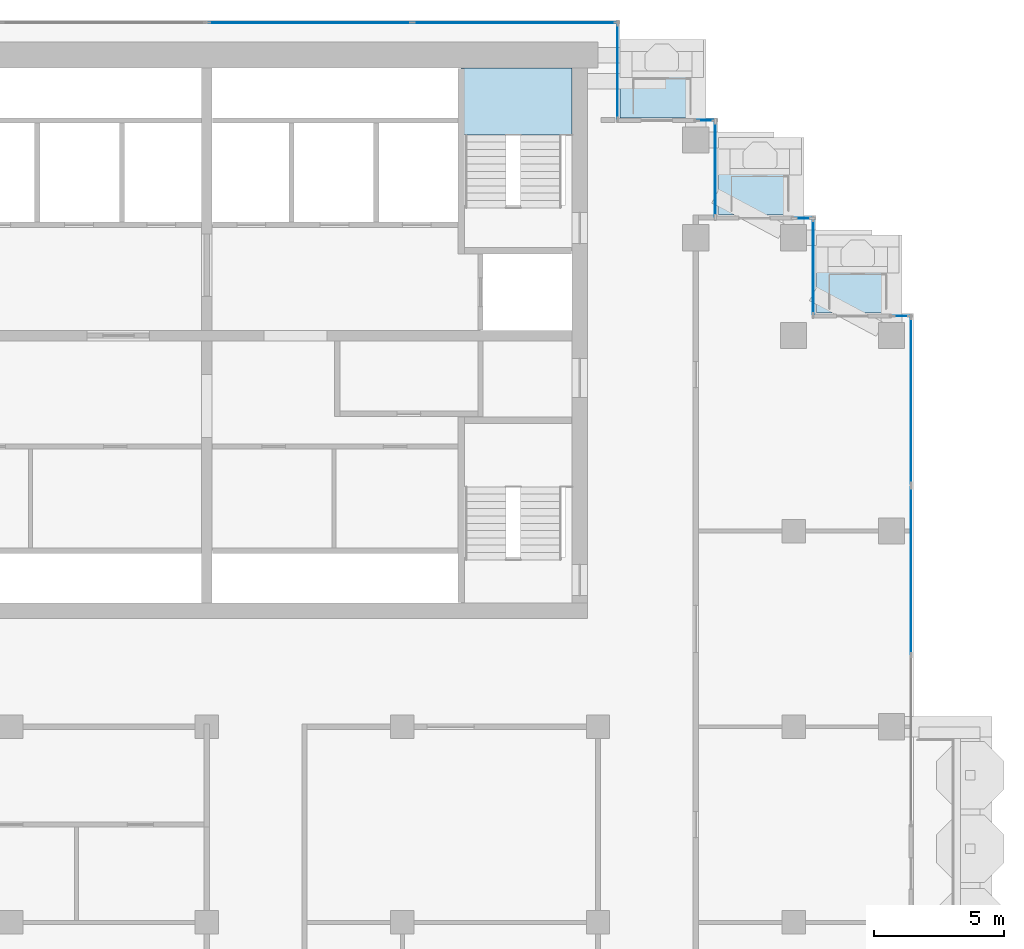
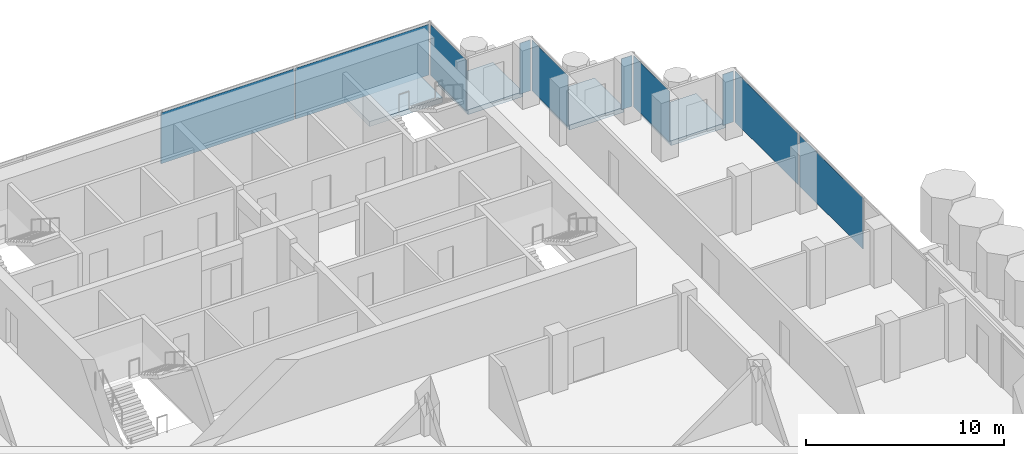
# One storey, part 10 of 18: 10 plates, 4 slabs, 10 elements without a shape of their own.
"""IFC4 building model written with IfcOpenShell, lengths in metres."""

from ifc_helpers import new_model, si_unit, direction, frame, origin, origin_2d, place, context, subcontext, project, spatial, polyline, rectangle, outline, extrude, material, layer, layer_set, type_object, element, aggregate, save


model = new_model("IFC4")

# Units and contexts
model_context = context("Model", 3, precision=1e-05, world=origin(), true_north=direction((0.0, 1.0)))
body_context = subcontext(model_context, "Body", "Model", "MODEL_VIEW")
ifc_project = project(units=[si_unit("LENGTHUNIT", "METRE"), si_unit("AREAUNIT", "SQUARE_METRE"), si_unit("VOLUMEUNIT", "CUBIC_METRE"), si_unit("PLANEANGLEUNIT", "RADIAN"), si_unit("MASSUNIT", "GRAM", prefix="KILO")], contexts=[model_context])

# Site, building, storey
site_placement = place(None, origin())
site = spatial("IfcSite", under=ifc_project, at=site_placement, CompositionType="ELEMENT")
building_placement = place(site_placement, origin())
building = spatial("IfcBuilding", under=site, at=building_placement, Name="Pilkhan Gate Tower", CompositionType="ELEMENT")
storey_placement = place(building_placement, frame((0.0, 0.0, 192.300048828125)))
storey = spatial("IfcBuildingStorey", under=building, at=storey_placement, Name="L49", CompositionType="ELEMENT", Elevation=192.300048828125)

# Slabs
ifc_material_1 = material(Name="Concrete C60/75", Category="concrete")
ifc_layer_1 = layer(ifc_material_1, 0.300048828125)
ifc_layer_set_1 = layer_set([ifc_layer_1], Name="Balcony tray slab TR300")
slab_type_1 = type_object("IfcSlabType", Name="Balcony tray slab TR300", PredefinedType="FLOOR", material=ifc_layer_set_1)
slab_1_placement = place(storey_placement, frame((0.0, 0.0, -0.300048828125)))
element("IfcSlab", 1, at=slab_1_placement, inside=storey, type_object=slab_type_1, Name="Balcony tray L49 N", PredefinedType="FLOOR", context=body_context, shape_type="SweptSolid", body=[
    extrude(outline(polyline([(94.050048828125, 90.85009765625), (94.050048828125, 93.85009765625), (90.85009765625, 93.85009765625), (90.85009765625, 90.85009765625), (94.050048828125, 90.85009765625)])), origin(), (0.0, 0.0, 1.0), 0.300048828125),
])
slab_2_placement = place(storey_placement, frame((0.0, 0.0, -0.300048828125)))
element("IfcSlab", 2, at=slab_2_placement, inside=storey, type_object=slab_type_1, Name="Balcony tray L49 N", PredefinedType="FLOOR", context=body_context, shape_type="SweptSolid", body=[
    extrude(outline(polyline([(97.800048828125, 87.1201171875), (97.800048828125, 90.10009765625), (94.6201171875, 90.10009765625), (94.6201171875, 87.1201171875), (97.800048828125, 87.1201171875)])), origin(), (0.0, 0.0, 1.0), 0.300048828125),
])
slab_3_placement = place(storey_placement, frame((0.0, 0.0, -0.300048828125)))
element("IfcSlab", 3, at=slab_3_placement, inside=storey, type_object=slab_type_1, Name="Balcony tray L49 N", PredefinedType="FLOOR", context=body_context, shape_type="SweptSolid", body=[
    extrude(outline(polyline([(101.550048828125, 83.3701171875), (101.550048828125, 86.35009765625), (98.3701171875, 86.35009765625), (98.3701171875, 83.3701171875), (101.550048828125, 83.3701171875)])), origin(), (0.0, 0.0, 1.0), 0.300048828125),
])

# Curtain wall, plate
ifc_material_2 = material(Name="Pale anodised aluminium, clear low-iron double glazing", Category="aluminium")
curtain_wall_type = type_object("IfcCurtainWallType", Name="Office unitised curtain wall CW-O2", PredefinedType="USERDEFINED", material=ifc_material_2)
curtain_wall_1_placement = place(storey_placement, origin())
curtain_wall_1 = element("IfcCurtainWall", 4, at=curtain_wall_1_placement, inside=storey, type_object=curtain_wall_type, Name="Office unitised curtain wall CW-O2 L49 E", ObjectType="UNITISED CURTAIN WALL", PredefinedType="USERDEFINED")
ifc_material_3 = material(Name="Clear low-iron double glazing", Category="glass")
ifc_layer_2 = layer(ifc_material_3, 0.031982421875)
ifc_layer_set_2 = layer_set([ifc_layer_2], Name="Glass panel CW-O2 32")
plate_type = type_object("IfcPlateType", Name="Glass panel CW-O2 32", PredefinedType="CURTAIN_PANEL", material=ifc_layer_set_2)
plate_1_placement = place(storey_placement, frame((102.0, 73.483642578125, 0.0), z_axis=(0.0, 0.0, 1.0), x_axis=(0.0, 1.0, 0.0)))
plate_1 = element("IfcPlate", 5, at=plate_1_placement, type_object=plate_type, Name="CW-O2 panel 2", PredefinedType="CURTAIN_PANEL", context=body_context, shape_type="SweptSolid", body=[
    extrude(rectangle(XDim=6.402587890625, YDim=0.031982421875, at=origin_2d()), origin(), (0.0, 0.0, 1.0), 3.135009765625),
])
aggregate(curtain_wall_1, [plate_1])

curtain_wall_2_placement = place(storey_placement, origin())
curtain_wall_2 = element("IfcCurtainWall", 6, at=curtain_wall_2_placement, inside=storey, type_object=curtain_wall_type, Name="Office unitised curtain wall CW-O2 L49 E", ObjectType="UNITISED CURTAIN WALL", PredefinedType="USERDEFINED")
plate_2_placement = place(storey_placement, frame((102.0, 80.0, 0.0), z_axis=(0.0, 0.0, 1.0), x_axis=(0.0, 1.0, 0.0)))
plate_2 = element("IfcPlate", 7, at=plate_2_placement, type_object=plate_type, Name="CW-O2 panel 1", PredefinedType="CURTAIN_PANEL", context=body_context, shape_type="SweptSolid", body=[
    extrude(rectangle(XDim=6.3701171875, YDim=0.031982421875, at=origin_2d()), origin(), (0.0, 0.0, 1.0), 3.135009765625),
])
aggregate(curtain_wall_2, [plate_2])

curtain_wall_3_placement = place(storey_placement, origin())
curtain_wall_3 = element("IfcCurtainWall", 8, at=curtain_wall_3_placement, inside=storey, type_object=curtain_wall_type, Name="Office unitised curtain wall CW-O2 L49 N", ObjectType="UNITISED CURTAIN WALL", PredefinedType="USERDEFINED")
plate_3_placement = place(storey_placement, frame((101.625, 83.25, 0.0), z_axis=(0.0, 0.0, 1.0), x_axis=(1.0, 0.0, 0.0)))
plate_3 = element("IfcPlate", 9, at=plate_3_placement, type_object=plate_type, Name="CW-O2 panel 1", PredefinedType="CURTAIN_PANEL", context=body_context, shape_type="SweptSolid", body=[
    extrude(rectangle(XDim=0.6201171875, YDim=0.031982421875, at=origin_2d()), origin(), (0.0, 0.0, 1.0), 3.135009765625),
])
aggregate(curtain_wall_3, [plate_3])

curtain_wall_4_placement = place(storey_placement, origin())
curtain_wall_4 = element("IfcCurtainWall", 10, at=curtain_wall_4_placement, inside=storey, type_object=curtain_wall_type, Name="Office unitised curtain wall CW-O2 L49 E", ObjectType="UNITISED CURTAIN WALL", PredefinedType="USERDEFINED")
plate_4_placement = place(storey_placement, frame((98.25, 85.125, 0.0), z_axis=(0.0, 0.0, 1.0), x_axis=(0.0, 1.0, 0.0)))
plate_4 = element("IfcPlate", 11, at=plate_4_placement, type_object=plate_type, Name="CW-O2 panel 1", PredefinedType="CURTAIN_PANEL", context=body_context, shape_type="SweptSolid", body=[
    extrude(rectangle(XDim=3.6201171875, YDim=0.031982421875, at=origin_2d()), origin(), (0.0, 0.0, 1.0), 3.135009765625),
])
aggregate(curtain_wall_4, [plate_4])

curtain_wall_5_placement = place(storey_placement, origin())
curtain_wall_5 = element("IfcCurtainWall", 12, at=curtain_wall_5_placement, inside=storey, type_object=curtain_wall_type, Name="Office unitised curtain wall CW-O2 L49 N", ObjectType="UNITISED CURTAIN WALL", PredefinedType="USERDEFINED")
plate_5_placement = place(storey_placement, frame((97.875, 87.0, 0.0), z_axis=(0.0, 0.0, 1.0), x_axis=(1.0, 0.0, 0.0)))
plate_5 = element("IfcPlate", 13, at=plate_5_placement, type_object=plate_type, Name="CW-O2 panel 1", PredefinedType="CURTAIN_PANEL", context=body_context, shape_type="SweptSolid", body=[
    extrude(rectangle(XDim=0.6201171875, YDim=0.031982421875, at=origin_2d()), origin(), (0.0, 0.0, 1.0), 3.135009765625),
])
aggregate(curtain_wall_5, [plate_5])

curtain_wall_6_placement = place(storey_placement, origin())
curtain_wall_6 = element("IfcCurtainWall", 14, at=curtain_wall_6_placement, inside=storey, type_object=curtain_wall_type, Name="Office unitised curtain wall CW-O2 L49 E", ObjectType="UNITISED CURTAIN WALL", PredefinedType="USERDEFINED")
plate_6_placement = place(storey_placement, frame((94.5, 88.875, 0.0), z_axis=(0.0, 0.0, 1.0), x_axis=(0.0, 1.0, 0.0)))
plate_6 = element("IfcPlate", 15, at=plate_6_placement, type_object=plate_type, Name="CW-O2 panel 1", PredefinedType="CURTAIN_PANEL", context=body_context, shape_type="SweptSolid", body=[
    extrude(rectangle(XDim=3.6201171875, YDim=0.031982421875, at=origin_2d()), origin(), (0.0, 0.0, 1.0), 3.135009765625),
])
aggregate(curtain_wall_6, [plate_6])

curtain_wall_7_placement = place(storey_placement, origin())
curtain_wall_7 = element("IfcCurtainWall", 16, at=curtain_wall_7_placement, inside=storey, type_object=curtain_wall_type, Name="Office unitised curtain wall CW-O2 L49 N", ObjectType="UNITISED CURTAIN WALL", PredefinedType="USERDEFINED")
plate_7_placement = place(storey_placement, frame((94.125, 90.75, 0.0), z_axis=(0.0, 0.0, 1.0), x_axis=(1.0, 0.0, 0.0)))
plate_7 = element("IfcPlate", 17, at=plate_7_placement, type_object=plate_type, Name="CW-O2 panel 1", PredefinedType="CURTAIN_PANEL", context=body_context, shape_type="SweptSolid", body=[
    extrude(rectangle(XDim=0.6201171875, YDim=0.031982421875, at=origin_2d()), origin(), (0.0, 0.0, 1.0), 3.135009765625),
])
aggregate(curtain_wall_7, [plate_7])

curtain_wall_8_placement = place(storey_placement, origin())
curtain_wall_8 = element("IfcCurtainWall", 18, at=curtain_wall_8_placement, inside=storey, type_object=curtain_wall_type, Name="Office unitised curtain wall CW-O2 L49 E", ObjectType="UNITISED CURTAIN WALL", PredefinedType="USERDEFINED")
plate_8_placement = place(storey_placement, frame((90.75, 92.625, 0.0), z_axis=(0.0, 0.0, 1.0), x_axis=(0.0, 1.0, 0.0)))
plate_8 = element("IfcPlate", 19, at=plate_8_placement, type_object=plate_type, Name="CW-O2 panel 1", PredefinedType="CURTAIN_PANEL", context=body_context, shape_type="SweptSolid", body=[
    extrude(rectangle(XDim=3.6201171875, YDim=0.031982421875, at=origin_2d()), origin(), (0.0, 0.0, 1.0), 3.135009765625),
])
aggregate(curtain_wall_8, [plate_8])

# Curtain wall, plates
curtain_wall_9_placement = place(storey_placement, origin())
curtain_wall_9 = element("IfcCurtainWall", 20, at=curtain_wall_9_placement, inside=storey, type_object=curtain_wall_type, Name="Office unitised curtain wall CW-O2 L49 N", ObjectType="UNITISED CURTAIN WALL", PredefinedType="USERDEFINED")
plate_9_placement = place(storey_placement, frame((78.953857421875, 94.5, 0.0), z_axis=(0.0, 0.0, 1.0), x_axis=(1.0, 0.0, 0.0)))
plate_9 = element("IfcPlate", 21, at=plate_9_placement, type_object=plate_type, Name="CW-O2 panel 1", PredefinedType="CURTAIN_PANEL", context=body_context, shape_type="SweptSolid", body=[
    extrude(rectangle(XDim=7.777587890625, YDim=0.031982421875, at=origin_2d()), origin(), (0.0, 0.0, 1.0), 3.135009765625),
])
plate_10_placement = place(storey_placement, frame((86.796142578125, 94.5, 0.0), z_axis=(0.0, 0.0, 1.0), x_axis=(1.0, 0.0, 0.0)))
plate_10 = element("IfcPlate", 22, at=plate_10_placement, type_object=plate_type, Name="CW-O2 panel 2", PredefinedType="CURTAIN_PANEL", context=body_context, shape_type="SweptSolid", body=[
    extrude(rectangle(XDim=7.777587890625, YDim=0.031982421875, at=origin_2d()), origin(), (0.0, 0.0, 1.0), 3.135009765625),
])
aggregate(curtain_wall_9, [plate_9, plate_10])

# Stair, slab
ifc_material_4 = material(Name="Concrete C40/50 precast", Category="concrete")
stair_type = type_object("IfcStairType", Name="Stair ST4 164x280", PredefinedType="HALF_TURN_STAIR", material=ifc_material_4)
stair_placement = place(storey_placement, origin())
stair = element("IfcStair", 23, at=stair_placement, inside=storey, type_object=stair_type, Name="Stair ST4 L49", PredefinedType="HALF_TURN_STAIR")
ifc_material_5 = material(Name="Concrete C40/50", Category="concrete")
ifc_layer_3 = layer(ifc_material_5, 0.199951171875)
ifc_layer_set_3 = layer_set([ifc_layer_3], Name="Stair landing SL200")
slab_type_2 = type_object("IfcSlabType", Name="Stair landing SL200", PredefinedType="LANDING", material=ifc_layer_set_3)
slab_4_placement = place(storey_placement, frame((0.0, 0.0, 1.5)))
slab_4 = element("IfcSlab", 24, at=slab_4_placement, type_object=slab_type_2, Name="ST4 landing 1", PredefinedType="LANDING", context=body_context, shape_type="SweptSolid", body=[
    extrude(outline(polyline([(89.0, 90.199951171875), (89.0, 92.75), (84.75, 92.75), (84.75, 90.199951171875), (89.0, 90.199951171875)])), origin(), (0.0, 0.0, 1.0), 0.300048828125),
])
aggregate(stair, [slab_4])

save(model, "model.ifc")
